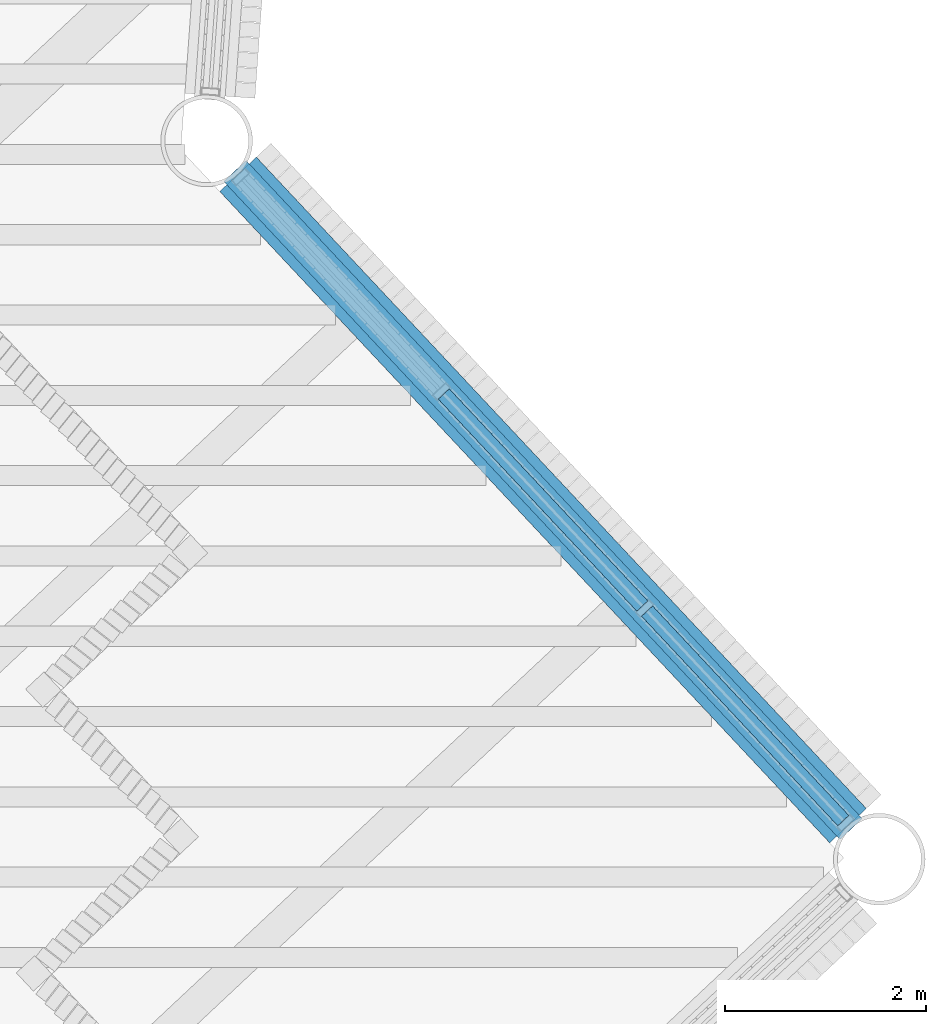
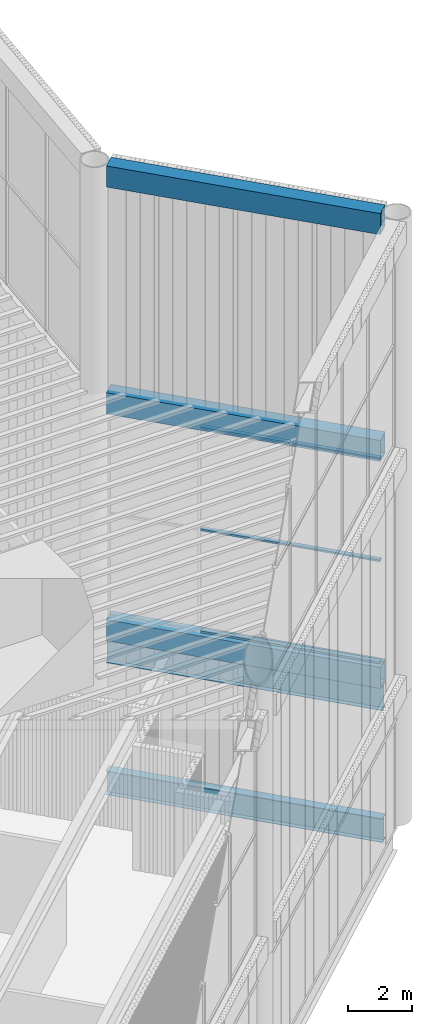
# One storey, part 68 of 117: 6 members, 5 beams, 1 element without a shape of its own.
"""IFC4 building model written with IfcOpenShell, lengths in metres."""

import ifcopenshell
import ifcopenshell.guid

model = None  # the IFC model being written
_history = None  # IfcOwnerHistory: only IFC2X3 demands one
_inside = {}  # id of a spatial element -> (the spatial element, [elements in it])
_under = {}  # id of a project, library or spatial element -> (it, [spatial elements below it])
_declared = {}  # id of a project -> (the project, [libraries it declares])
_typed = {}  # id of a type object -> (the type object, [elements of that type])
_made_of = {}  # id of a material, layer set ... -> (it, [elements and type objects made of it])


def new_model(schema):
    """Start an empty IFC model of exactly this schema.

    Asked for "IFC4X3", IfcOpenShell would pick the latest addendum, in which some entities
    have other attributes; the version numbers below select the first issue.
    IFC2X3 requires an IfcOwnerHistory on every rooted entity: one is made here for all.
    """
    global model, _history
    if schema == "IFC4X3":
        model = ifcopenshell.file(schema_version=(4, 3, 0, 0))
    else:
        model = ifcopenshell.file(schema=schema)
    _inside.clear()
    _under.clear()
    _declared.clear()
    _typed.clear()
    _made_of.clear()
    _history = None
    if model.schema == "IFC2X3":
        org = make("IfcOrganization", Name="unknown")
        user = make(
            "IfcPersonAndOrganization",
            ThePerson=make("IfcPerson", FamilyName="unknown"),
            TheOrganization=org,
        )
        app = make(
            "IfcApplication",
            ApplicationDeveloper=org,
            Version="unknown",
            ApplicationFullName="unknown",
            ApplicationIdentifier="unknown",
        )
        _history = make(
            "IfcOwnerHistory",
            OwningUser=user,
            OwningApplication=app,
            ChangeAction="ADDED",
            CreationDate=0,
        )
    return model


def make(cls, **values):
    """One entity of the class cls with the attributes given. An attribute that is None is left unset."""
    return model.create_entity(
        cls, **{name: value for name, value in values.items() if value is not None}
    )


def rooted(cls, **values):
    """An entity with a GlobalId (a new one), such as an element, a storey or a relation."""
    return make(cls, GlobalId=ifcopenshell.guid.new(), OwnerHistory=_history, **values)


def si_unit(unit_type, name, prefix=None):
    """IfcSIUnit, for example si_unit("LENGTHUNIT", "METRE", prefix="MILLI")."""
    return make("IfcSIUnit", UnitType=unit_type, Prefix=prefix, Name=name)


def assignment(units):
    """IfcUnitAssignment: the units of a project."""
    return None if units is None else make("IfcUnitAssignment", Units=units)


def point(xyz):
    """IfcCartesianPoint."""
    return None if xyz is None else make("IfcCartesianPoint", Coordinates=xyz)


def direction(xyz):
    """IfcDirection."""
    return None if xyz is None else make("IfcDirection", DirectionRatios=xyz)


def frame(location, z_axis=None, x_axis=None):
    """IfcAxis2Placement3D, a coordinate frame: its origin and axes. An axis left out is left unset."""
    return make(
        "IfcAxis2Placement3D",
        Location=point(location),
        Axis=direction(z_axis),
        RefDirection=direction(x_axis),
    )


def frame_2d(location, x_axis=None):
    """IfcAxis2Placement2D, a coordinate frame in the plane: its origin and x axis."""
    return make(
        "IfcAxis2Placement2D", Location=point(location), RefDirection=direction(x_axis)
    )


def origin():
    """The frame at (0, 0, 0) with its axes left unset."""
    return frame((0.0, 0.0, 0.0))


def origin_2d():
    """The frame at (0, 0) in the plane with its x axis left unset."""
    return frame_2d((0.0, 0.0))


def place(relative_to, where):
    """IfcLocalPlacement: puts the frame where relative to a parent placement (None: the world)."""
    return make(
        "IfcLocalPlacement", PlacementRelTo=relative_to, RelativePlacement=where
    )


def context(
    kind, dimensions, precision=None, world=None, true_north=None, identifier=None
):
    """IfcGeometricRepresentationContext, for example the 3D "Model" context."""
    return make(
        "IfcGeometricRepresentationContext",
        ContextIdentifier=identifier,
        ContextType=kind,
        CoordinateSpaceDimension=dimensions,
        Precision=precision,
        WorldCoordinateSystem=world,
        TrueNorth=true_north,
    )


def subcontext(parent, identifier, kind, view, scale=None):
    """IfcGeometricRepresentationSubContext, for example "Body" below "Model"."""
    return make(
        "IfcGeometricRepresentationSubContext",
        ContextIdentifier=identifier,
        ContextType=kind,
        ParentContext=parent,
        TargetScale=scale,
        TargetView=view,
    )


def project(units=None, contexts=None):
    """IfcProject with its units and contexts."""
    return rooted(
        "IfcProject",
        Name="project",
        RepresentationContexts=contexts,
        UnitsInContext=assignment(units),
    )


def spatial(cls, under=None, at=None, **own):
    """A site, building, storey or space (cls), placed at a placement, below another one or the project."""
    s = rooted(cls, ObjectPlacement=at, **own)
    if under is not None:
        _under.setdefault(under.id(), (under, []))[1].append(s)
    return s


def profile(cls, at=None, kind="AREA", **sizes):
    """A parametric profile (cls). Its sizes go by their IFC names, for example OverallWidth=200.0."""
    return make(cls, ProfileType=kind, Position=at, **sizes)


def hollow_rectangle(**sizes):
    """IfcRectangleHollowProfileDef."""
    return profile("IfcRectangleHollowProfileDef", **sizes)


def i_section(**sizes):
    """IfcIShapeProfileDef."""
    return profile("IfcIShapeProfileDef", **sizes)


def extrude(swept, where, along, depth):
    """IfcExtrudedAreaSolid: the profile swept, set in the frame where, extruded along a direction by depth."""
    return make(
        "IfcExtrudedAreaSolid",
        SweptArea=swept,
        Position=where,
        ExtrudedDirection=direction(along),
        Depth=depth,
    )


def shape(context_of_items, identifier, shape_type, items):
    """IfcShapeRepresentation: the items that make up one representation, for example the "Body"."""
    return make(
        "IfcShapeRepresentation",
        ContextOfItems=context_of_items,
        RepresentationIdentifier=identifier,
        RepresentationType=shape_type,
        Items=items,
    )


def material(Name=None, Category=None):
    """IfcMaterial."""
    return make("IfcMaterial", Name=Name, Category=Category)


def layer(
    of_material, thickness, ventilated=None, Name=None, Category=None, Priority=None
):
    """IfcMaterialLayer: one layer of a wall or slab, of a material (None: an air gap)."""
    return make(
        "IfcMaterialLayer",
        Material=of_material,
        LayerThickness=thickness,
        IsVentilated=ventilated,
        Name=Name,
        Category=Category,
        Priority=Priority,
    )


def layer_set(layers, Name=None):
    """IfcMaterialLayerSet."""
    return make("IfcMaterialLayerSet", MaterialLayers=layers, LayerSetName=Name)


def material_profile(
    of_material, cross_section, Name=None, Category=None, Priority=None
):
    """IfcMaterialProfile: a cross section and its material."""
    return make(
        "IfcMaterialProfile",
        Name=Name,
        Material=of_material,
        Profile=cross_section,
        Priority=Priority,
        Category=Category,
    )


def profile_set(profiles, Name=None, composite=None):
    """IfcMaterialProfileSet."""
    return make(
        "IfcMaterialProfileSet",
        Name=Name,
        MaterialProfiles=profiles,
        CompositeProfile=composite,
    )


def made_of(thing, what):
    """Note that an element or type object is made of a material, layer set ...; save() writes the relation."""
    if what is not None:
        _made_of.setdefault(what.id(), (what, []))[1].append(thing)
    return thing


def type_object(cls, material=None, **own):
    """A type object (cls), such as IfcWallType, which elements share."""
    return made_of(rooted(cls, **own), material)


def element(
    cls,
    number,
    at=None,
    inside=None,
    cuts=None,
    type_object=None,
    material=None,
    context=None,
    identifier="Body",
    shape_type=None,
    held_by="IfcProductDefinitionShape",
    body=None,
    shapes=None,
    **own,
):
    """One element of the class cls, such as IfcWall. Its Tag is "e" and its number.

    at: its placement. inside: the storey or other place that contains it. cuts: it is an
    opening in that element (IfcRelVoidsElement). A single representation is given by context,
    identifier, shape_type and body (its items); several are given by shapes. held_by: the class
    of the entity that holds the representations. save() writes the other relations.
    """
    e = rooted(cls, Tag="e%d" % number, ObjectPlacement=at, **own)
    if body is not None:
        shapes = [shape(context, identifier, shape_type, body)]
    if shapes is not None:
        e.Representation = make(held_by, Representations=shapes)
    if inside is not None:
        _inside.setdefault(inside.id(), (inside, []))[1].append(e)
    if cuts is not None:
        rooted(
            "IfcRelVoidsElement", RelatingBuildingElement=cuts, RelatedOpeningElement=e
        )
    if type_object is not None:
        _typed.setdefault(type_object.id(), (type_object, []))[1].append(e)
    return made_of(e, material)


def aggregate(whole, parts):
    """IfcRelAggregates: a whole, such as a stair, and the parts it consists of."""
    return rooted("IfcRelAggregates", RelatingObject=whole, RelatedObjects=parts)


def save(model, path):
    """Write the relations noted so far, then the file.

    IfcRelAggregates (storeys below a building ...), IfcRelContainedInSpatialStructure (elements
    in a storey), IfcRelDefinesByType, IfcRelAssociatesMaterial and IfcRelDeclares: one each for
    every whole, place, type object, material and project.
    """
    for whole, parts in _under.values():
        aggregate(whole, parts)
    for where, things in _inside.values():
        rooted(
            "IfcRelContainedInSpatialStructure",
            RelatedElements=things,
            RelatingStructure=where,
        )
    for kind, things in _typed.values():
        rooted("IfcRelDefinesByType", RelatedObjects=things, RelatingType=kind)
    for what, things in _made_of.values():
        rooted("IfcRelAssociatesMaterial", RelatedObjects=things, RelatingMaterial=what)
    for by, libraries in _declared.values():
        rooted("IfcRelDeclares", RelatingContext=by, RelatedDefinitions=libraries)
    model.write(path)


model = new_model("IFC4")

# Units and contexts
model_context = context("Model", 3, precision=1e-05, world=origin(), true_north=direction((0.0, 1.0)))
body_context = subcontext(model_context, "Body", "Model", "MODEL_VIEW")
ifc_project = project(units=[si_unit("LENGTHUNIT", "METRE"), si_unit("AREAUNIT", "SQUARE_METRE"), si_unit("VOLUMEUNIT", "CUBIC_METRE"), si_unit("PLANEANGLEUNIT", "RADIAN"), si_unit("MASSUNIT", "GRAM", prefix="KILO")], contexts=[model_context])

# Site, building, storey
site_placement = place(None, origin())
site = spatial("IfcSite", under=ifc_project, at=site_placement, CompositionType="ELEMENT")
building_placement = place(site_placement, origin())
building = spatial("IfcBuilding", under=site, at=building_placement, Name="Tarsis Ring Headquarters", CompositionType="ELEMENT")
storey_placement = place(building_placement, frame((0.0, 0.0, 403.60009765625)))
storey = spatial("IfcBuildingStorey", under=building, at=storey_placement, Name="L95", CompositionType="ELEMENT", Elevation=403.60009765625)

# Beams
ifc_material_1 = material(Name="Structural steel S355", Category="steel")
ifc_material_profile_1 = material_profile(ifc_material_1, hollow_rectangle(XDim=0.5, YDim=0.800048828125, WallThickness=0.030029296875, at=origin_2d()), Name="RHS 800x500x30")
ifc_profile_set_1 = profile_set([ifc_material_profile_1], Name="Structural steel S355")
beam_type_1 = type_object("IfcBeamType", Name="Crown frame ring beam RHS 800x500x30", PredefinedType="BEAM", material=ifc_profile_set_1)
for number, where, z_axis, x_axis, name in (
    (1, (34.27734375, -14.95166015625, 5.39990234375), (-0.68352174227, 0.729930152717, 0.0), (-0.729930152717, -0.68352174227, 0.0), "Crown frame ring beam R5"),
    (2, (34.27734375, -14.95166015625, 14.0), (-0.68352174227, 0.729930152717, 0.0), (-0.729930152717, -0.68352174227, 0.0), "Crown frame ring beam M5"),
    (3, (34.27734375, -14.95166015625, 22.599853515625), (-0.68352174227, 0.729930152717, 0.0), (-0.729930152717, -0.68352174227, 0.0), "Crown frame ring beam T5"),
):
    element("IfcBeam", number, at=place(storey_placement, frame(where, z_axis=z_axis, x_axis=x_axis)), inside=storey, type_object=beam_type_1, Name=name, PredefinedType="BEAM", context=body_context, shape_type="SweptSolid", body=[
        extrude(hollow_rectangle(XDim=0.5, YDim=0.800048828125, WallThickness=0.030029296875, at=origin_2d()), origin(), (0.0, 0.0, 1.0), 8.890625),
    ])

# Curtain wall, members
ifc_material_2 = material(Name="Aluminium curtain wall", Category="aluminium")
ifc_layer = layer(ifc_material_2, 0.179931640625)
ifc_layer_set = layer_set([ifc_layer], Name="Curtain wall crown glazing")
curtain_wall_type = type_object("IfcCurtainWallType", Name="Curtain wall crown glazing", PredefinedType="NOTDEFINED", material=ifc_layer_set)
curtain_wall_placement = place(storey_placement, origin())
curtain_wall = element("IfcCurtainWall", 4, at=curtain_wall_placement, inside=storey, type_object=curtain_wall_type, Name="Crown glazing L5", PredefinedType="NOTDEFINED")
ifc_material_3 = material(Name="Aluminium transom", Category="aluminium")
ifc_material_profile_2 = material_profile(ifc_material_3, hollow_rectangle(XDim=0.14990234375, YDim=0.070068359375, WallThickness=0.0048828125, at=origin_2d()), Name="RHS 150x70x5")
ifc_profile_set_2 = profile_set([ifc_material_profile_2], Name="Aluminium transom")
member_type = type_object("IfcMemberType", Name="Crown glazing transom RHS 150x70x5", PredefinedType="USERDEFINED", material=ifc_profile_set_2)
member_1_placement = place(storey_placement, frame((34.2294921875, -14.900390625, 5.8349609375), z_axis=(-0.683537589987, 0.729915312262, 0.0), x_axis=(-0.729915312262, -0.683537589987, 0.0)))
member_1 = element("IfcMember", 5, at=member_1_placement, type_object=member_type, Name="CW-C transom 1.1", ObjectType="TRANSOM", PredefinedType="USERDEFINED", context=body_context, shape_type="SweptSolid", body=[
    extrude(hollow_rectangle(XDim=0.14990234375, YDim=0.070068359375, WallThickness=0.0048828125, at=origin_2d()), origin(), (0.0, 0.0, 1.0), 2.8583984375),
])
member_2_placement = place(storey_placement, frame((34.2294921875, -14.900390625, 9.699951171875), z_axis=(-0.683537589987, 0.729915312262, 0.0), x_axis=(-0.729915312262, -0.683537589987, 0.0)))
member_2 = element("IfcMember", 6, at=member_2_placement, type_object=member_type, Name="CW-C transom 1.2", ObjectType="TRANSOM", PredefinedType="USERDEFINED", context=body_context, shape_type="SweptSolid", body=[
    extrude(hollow_rectangle(XDim=0.14990234375, YDim=0.070068359375, WallThickness=0.0048828125, at=origin_2d()), origin(), (0.0, 0.0, 1.0), 2.8583984375),
])
member_3_placement = place(storey_placement, frame((34.2294921875, -14.900390625, 13.56494140625), z_axis=(-0.683537589987, 0.729915312262, 0.0), x_axis=(-0.729915312262, -0.683537589987, 0.0)))
member_3 = element("IfcMember", 7, at=member_3_placement, type_object=member_type, Name="CW-C transom 1.3", ObjectType="TRANSOM", PredefinedType="USERDEFINED", context=body_context, shape_type="SweptSolid", body=[
    extrude(hollow_rectangle(XDim=0.14990234375, YDim=0.070068359375, WallThickness=0.0048828125, at=origin_2d()), origin(), (0.0, 0.0, 1.0), 2.8583984375),
])
member_4_placement = place(storey_placement, frame((32.227783203125, -12.762939453125, 5.8349609375), z_axis=(-0.683522824664, 0.729929139139, 0.0), x_axis=(-0.729929139139, -0.683522824664, 0.0)))
member_4 = element("IfcMember", 8, at=member_4_placement, type_object=member_type, Name="CW-C transom 2.1", ObjectType="TRANSOM", PredefinedType="USERDEFINED", context=body_context, shape_type="SweptSolid", body=[
    extrude(hollow_rectangle(XDim=0.14990234375, YDim=0.070068359375, WallThickness=0.0048828125, at=origin_2d()), origin(), (0.0, 0.0, 1.0), 2.8935546875),
])
member_5_placement = place(storey_placement, frame((32.227783203125, -12.762939453125, 9.699951171875), z_axis=(-0.683522824664, 0.729929139139, 0.0), x_axis=(-0.729929139139, -0.683522824664, 0.0)))
member_5 = element("IfcMember", 9, at=member_5_placement, type_object=member_type, Name="CW-C transom 2.2", ObjectType="TRANSOM", PredefinedType="USERDEFINED", context=body_context, shape_type="SweptSolid", body=[
    extrude(hollow_rectangle(XDim=0.14990234375, YDim=0.070068359375, WallThickness=0.0048828125, at=origin_2d()), origin(), (0.0, 0.0, 1.0), 2.8935546875),
])
member_6_placement = place(storey_placement, frame((32.227783203125, -12.762939453125, 13.56494140625), z_axis=(-0.683522824664, 0.729929139139, 0.0), x_axis=(-0.729929139139, -0.683522824664, 0.0)))
member_6 = element("IfcMember", 10, at=member_6_placement, type_object=member_type, Name="CW-C transom 2.3", ObjectType="TRANSOM", PredefinedType="USERDEFINED", context=body_context, shape_type="SweptSolid", body=[
    extrude(hollow_rectangle(XDim=0.14990234375, YDim=0.070068359375, WallThickness=0.0048828125, at=origin_2d()), origin(), (0.0, 0.0, 1.0), 2.8935546875),
])
aggregate(curtain_wall, [member_1, member_2, member_3, member_4, member_5, member_6])

# Beams
ifc_material_profile_3 = material_profile(ifc_material_1, i_section(OverallWidth=0.3046875, OverallDepth=0.904296875, WebThickness=0.01513671875, FlangeThickness=0.02001953125, at=origin_2d()), Name="W36x135")
ifc_profile_set_3 = profile_set([ifc_material_profile_3], Name="Structural steel S355")
beam_type_2 = type_object("IfcBeamType", Name="XG Ring girder W36x135", PredefinedType="BEAM", material=ifc_profile_set_3)
for number, where, z_axis, x_axis, name in (
    (11, (34.308349609375, -14.98486328125, -0.4521484375), (-0.683525993727, 0.72992617154, 0.0), (-0.72992617154, -0.683525993727, 0.0), "Ring girder XG5"),
    (12, (34.308349609375, -14.98486328125, 4.5478515625), (-0.683525993727, 0.72992617154, 0.0), (-0.72992617154, -0.683525993727, 0.0), "Ring girder XG5"),
):
    element("IfcBeam", number, at=place(storey_placement, frame(where, z_axis=z_axis, x_axis=x_axis)), inside=storey, type_object=beam_type_2, Name=name, PredefinedType="BEAM", context=body_context, shape_type="SweptSolid", body=[
        extrude(i_section(OverallWidth=0.3046875, OverallDepth=0.904296875, WebThickness=0.01513671875, FlangeThickness=0.02001953125, at=origin_2d()), origin(), (0.0, 0.0, 1.0), 8.981689453125),
    ])

save(model, "model.ifc")
